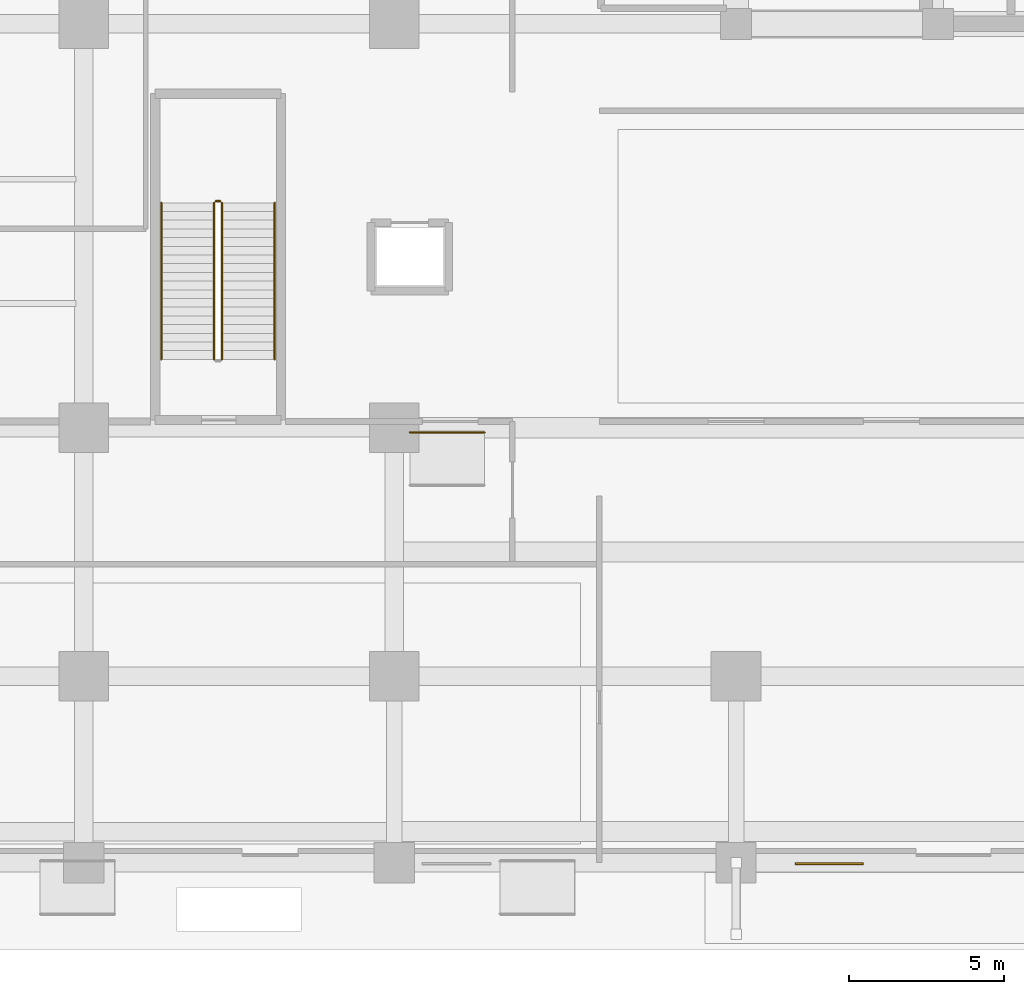
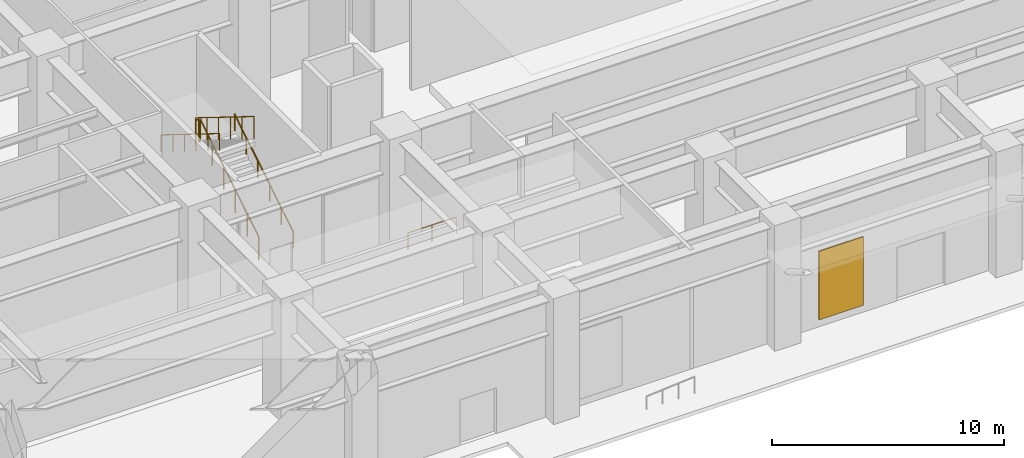
# One storey, part 15 of 21: 6 railings, 1 covering.
"""IFC4 building model written with IfcOpenShell, lengths in metres."""

from ifc_helpers import new_model, si_unit, direction, frame, origin, origin_2d, place, context, subcontext, project, spatial, rectangle, circle, extrude, source, transform, mapped, material, layer, layer_set, type_object, element, save


model = new_model("IFC4")

# Units and contexts
model_context = context("Model", 3, precision=1e-05, world=origin(), true_north=direction((0.0, 1.0)))
body_context = subcontext(model_context, "Body", "Model", "MODEL_VIEW")
ifc_project = project(units=[si_unit("LENGTHUNIT", "METRE"), si_unit("AREAUNIT", "SQUARE_METRE"), si_unit("VOLUMEUNIT", "CUBIC_METRE"), si_unit("PLANEANGLEUNIT", "RADIAN"), si_unit("MASSUNIT", "GRAM", prefix="KILO")], contexts=[model_context])

# Site, building, storey
site_placement = place(None, origin())
site = spatial("IfcSite", under=ifc_project, at=site_placement, CompositionType="ELEMENT")
building_placement = place(site_placement, origin())
building = spatial("IfcBuilding", under=site, at=building_placement, Name="Khorayat Bourse Tower", CompositionType="ELEMENT")
storey_placement = place(building_placement, origin())
storey = spatial("IfcBuildingStorey", under=building, at=storey_placement, Name="L00", CompositionType="ELEMENT", Elevation=0.0)

# Covering
ifc_material_1 = material(Name="Honed Omani desert limestone cladding", Category="masonry")
ifc_layer = layer(ifc_material_1, 0.06005859375)
ifc_layer_set = layer_set([ifc_layer], Name="Honed Omani desert limestone cladding")
covering_type = type_object("IfcCoveringType", Name="COV-CLAD-STONE", PredefinedType="CLADDING", material=ifc_layer_set)
shared_shape_1 = source(origin(), body_context, "Body", "SweptSolid", [
    extrude(rectangle(XDim=2.199951171875, YDim=0.06005859375, at=origin_2d()), origin(), (0.0, 0.0, 1.0), 3.60009765625),
])
covering_placement = place(storey_placement, frame((-8.0, -38.030029296875, 0.39990234375), z_axis=(0.0, 0.0, 1.0), x_axis=(1.0, 0.0, 0.0)))
element("IfcCovering", 1, at=covering_placement, inside=storey, type_object=covering_type, Name="L00 Honed Limestone Pier Cladding 3", PredefinedType="CLADDING", context=body_context, shape_type="MappedRepresentation", body=[
    mapped(shared_shape_1, transform((0.0, 0.0, 0.0), scale=1.0)),
])

# Railings
ifc_material_2 = material(Name="Powder-coated steel balustrade", Category="steel")
railing_type_1 = type_object("IfcRailingType", Name="RLG-GUARD-1200", PredefinedType="GUARDRAIL", material=ifc_material_2)
shared_shape_2 = source(origin(), body_context, "Body", "SweptSolid", [
    extrude(circle(Radius=0.02392578125, at=origin_2d()), frame((0.0, 0.0, 1.17578125), z_axis=(0.0, 0.849778785312, 0.527139465448), x_axis=(-1.0, 0.0, 0.0)), (0.0, 0.0, 1.0), 5.930908203125),
    extrude(circle(Radius=0.02099609375, at=origin_2d()), origin(), (0.0, 0.0, 1.0), 1.15185546875),
    extrude(circle(Radius=0.02099609375, at=origin_2d()), frame((0.0, 1.008056640625, 0.625244140625)), (0.0, 0.0, 1.0), 1.15185546875),
    extrude(circle(Radius=0.02099609375, at=origin_2d()), frame((0.0, 2.01611328125, 1.25048828125)), (0.0, 0.0, 1.0), 1.15185546875),
    extrude(circle(Radius=0.02099609375, at=origin_2d()), frame((0.0, 3.02392578125, 1.8759765625)), (0.0, 0.0, 1.0), 1.15185546875),
    extrude(circle(Radius=0.02099609375, at=origin_2d()), frame((0.0, 4.031982421875, 2.501220703125)), (0.0, 0.0, 1.0), 1.15185546875),
    extrude(circle(Radius=0.02099609375, at=origin_2d()), frame((0.0, 5.0400390625, 3.12646484375)), (0.0, 0.0, 1.0), 1.15185546875),
])
railing_1_placement = place(storey_placement, frame((-27.550048828125, -21.800048828125, 0.173583984375)))
element("IfcRailing", 2, at=railing_1_placement, inside=storey, type_object=railing_type_1, Name="L00 ST-P1 stair guard 1", PredefinedType="GUARDRAIL", context=body_context, shape_type="MappedRepresentation", body=[
    mapped(shared_shape_2, transform((0.0, 0.0, 0.0), scale=1.0)),
])
shared_shape_3 = source(origin(), body_context, "Body", "SweptSolid", [
    extrude(circle(Radius=0.02392578125, at=origin_2d()), frame((0.0, 0.0, 1.17578125), z_axis=(0.0, -0.849778785312, 0.527139465448), x_axis=(1.0, 0.0, 0.0)), (0.0, 0.0, 1.0), 5.930908203125),
    extrude(circle(Radius=0.02099609375, at=origin_2d()), origin(), (0.0, 0.0, 1.0), 1.15185546875),
    extrude(circle(Radius=0.02099609375, at=origin_2d()), frame((0.0, -1.008056640625, 0.625244140625)), (0.0, 0.0, 1.0), 1.15185546875),
    extrude(circle(Radius=0.02099609375, at=origin_2d()), frame((0.0, -2.01611328125, 1.25048828125)), (0.0, 0.0, 1.0), 1.15185546875),
    extrude(circle(Radius=0.02099609375, at=origin_2d()), frame((0.0, -3.02392578125, 1.8759765625)), (0.0, 0.0, 1.0), 1.15185546875),
    extrude(circle(Radius=0.02099609375, at=origin_2d()), frame((0.0, -4.031982421875, 2.501220703125)), (0.0, 0.0, 1.0), 1.15185546875),
    extrude(circle(Radius=0.02099609375, at=origin_2d()), frame((0.0, -5.0400390625, 3.12646484375)), (0.0, 0.0, 1.0), 1.15185546875),
])
railing_2_placement = place(storey_placement, frame((-27.800048828125, -16.760009765625, 3.4736328125)))
element("IfcRailing", 3, at=railing_2_placement, inside=storey, type_object=railing_type_1, Name="L00 ST-P1 stair guard 3", PredefinedType="GUARDRAIL", context=body_context, shape_type="MappedRepresentation", body=[
    mapped(shared_shape_3, transform((0.0, 0.0, 0.0), scale=1.0)),
])
ifc_material_3 = material(Name="Brushed bronze stainless-steel handrail", Category="steel")
railing_type_2 = type_object("IfcRailingType", Name="RLG-HAND-900", PredefinedType="HANDRAIL", material=ifc_material_3)
shared_shape_4 = source(origin(), body_context, "Body", "SweptSolid", [
    extrude(circle(Radius=0.02392578125, at=origin_2d()), frame((0.0, 0.0, 0.8759765625), z_axis=(0.0, 0.849778785312, 0.527139465448), x_axis=(-1.0, 0.0, 0.0)), (0.0, 0.0, 1.0), 5.930908203125),
    extrude(circle(Radius=0.02099609375, at=origin_2d()), origin(), (0.0, 0.0, 1.0), 0.851806640625),
    extrude(circle(Radius=0.02099609375, at=origin_2d()), frame((0.0, 1.008056640625, 0.625244140625)), (0.0, 0.0, 1.0), 0.851806640625),
    extrude(circle(Radius=0.02099609375, at=origin_2d()), frame((0.0, 2.01611328125, 1.25048828125)), (0.0, 0.0, 1.0), 0.851806640625),
    extrude(circle(Radius=0.02099609375, at=origin_2d()), frame((0.0, 3.02392578125, 1.8759765625)), (0.0, 0.0, 1.0), 0.851806640625),
    extrude(circle(Radius=0.02099609375, at=origin_2d()), frame((0.0, 4.031982421875, 2.501220703125)), (0.0, 0.0, 1.0), 0.851806640625),
    extrude(circle(Radius=0.02099609375, at=origin_2d()), frame((0.0, 5.0400390625, 3.12646484375)), (0.0, 0.0, 1.0), 0.851806640625),
])
railing_3_placement = place(storey_placement, frame((-25.85009765625, -21.800048828125, 0.173583984375)))
element("IfcRailing", 4, at=railing_3_placement, inside=storey, type_object=railing_type_2, Name="L00 ST-P1 stair handrail 1", PredefinedType="HANDRAIL", context=body_context, shape_type="MappedRepresentation", body=[
    mapped(shared_shape_4, transform((0.0, 0.0, 0.0), scale=1.0)),
])
shared_shape_5 = source(origin(), body_context, "Body", "SweptSolid", [
    extrude(circle(Radius=0.02392578125, at=origin_2d()), frame((0.0, 0.0, 0.8759765625), z_axis=(0.0, -0.849778785312, 0.527139465448), x_axis=(1.0, 0.0, 0.0)), (0.0, 0.0, 1.0), 5.930908203125),
    extrude(circle(Radius=0.02099609375, at=origin_2d()), origin(), (0.0, 0.0, 1.0), 0.851806640625),
    extrude(circle(Radius=0.02099609375, at=origin_2d()), frame((0.0, -1.008056640625, 0.625244140625)), (0.0, 0.0, 1.0), 0.851806640625),
    extrude(circle(Radius=0.02099609375, at=origin_2d()), frame((0.0, -2.01611328125, 1.25048828125)), (0.0, 0.0, 1.0), 0.851806640625),
    extrude(circle(Radius=0.02099609375, at=origin_2d()), frame((0.0, -3.02392578125, 1.8759765625)), (0.0, 0.0, 1.0), 0.851806640625),
    extrude(circle(Radius=0.02099609375, at=origin_2d()), frame((0.0, -4.031982421875, 2.501220703125)), (0.0, 0.0, 1.0), 0.851806640625),
    extrude(circle(Radius=0.02099609375, at=origin_2d()), frame((0.0, -5.0400390625, 3.12646484375)), (0.0, 0.0, 1.0), 0.851806640625),
])
railing_4_placement = place(storey_placement, frame((-29.5, -16.760009765625, 3.4736328125)))
element("IfcRailing", 5, at=railing_4_placement, inside=storey, type_object=railing_type_2, Name="L00 ST-P1 stair handrail 2", PredefinedType="HANDRAIL", context=body_context, shape_type="MappedRepresentation", body=[
    mapped(shared_shape_5, transform((0.0, 0.0, 0.0), scale=1.0)),
])
shared_shape_6 = source(origin(), body_context, "Body", "SweptSolid", [
    extrude(circle(Radius=0.02392578125, at=origin_2d()), frame((0.0, 0.0, 1.17578125), z_axis=(-1.0, 0.0, 0.0), x_axis=(0.0, -1.0, 0.0)), (0.0, 0.0, 1.0), 0.14990234375),
    extrude(circle(Radius=0.02099609375, at=origin_2d()), origin(), (0.0, 0.0, 1.0), 1.15185546875),
    extrude(circle(Radius=0.02099609375, at=origin_2d()), frame((-0.14990234375, 0.0, 0.0)), (0.0, 0.0, 1.0), 1.15185546875),
])
railing_5_placement = place(storey_placement, frame((-27.60009765625, -16.7099609375, 3.300048828125)))
element("IfcRailing", 6, at=railing_5_placement, inside=storey, type_object=railing_type_1, Name="L00 ST-P1 stair guard 2", PredefinedType="GUARDRAIL", context=body_context, shape_type="MappedRepresentation", body=[
    mapped(shared_shape_6, transform((0.0, 0.0, 0.0), scale=1.0)),
])
shared_shape_7 = source(origin(), body_context, "Body", "SweptSolid", [
    extrude(circle(Radius=0.02392578125, at=origin_2d()), frame((0.0, 0.0, 0.8759765625), z_axis=(1.0, 0.0, 0.0), x_axis=(0.0, 1.0, 0.0)), (0.0, 0.0, 1.0), 2.39990234375),
    extrude(circle(Radius=0.02099609375, at=origin_2d()), origin(), (0.0, 0.0, 1.0), 0.851806640625),
    extrude(circle(Radius=0.02099609375, at=origin_2d()), frame((1.199951171875, 0.0, 0.0)), (0.0, 0.0, 1.0), 0.851806640625),
    extrude(circle(Radius=0.02099609375, at=origin_2d()), frame((2.39990234375, 0.0, 0.0)), (0.0, 0.0, 1.0), 0.851806640625),
])
railing_6_placement = place(storey_placement, frame((-21.5, -24.14990234375, 0.0)))
element("IfcRailing", 7, at=railing_6_placement, inside=storey, type_object=railing_type_2, Name="Ground Concourse Threshold Ramp Handrail 2", PredefinedType="HANDRAIL", context=body_context, shape_type="MappedRepresentation", body=[
    mapped(shared_shape_7, transform((0.0, 0.0, 0.0), scale=1.0)),
])

save(model, "model.ifc")
